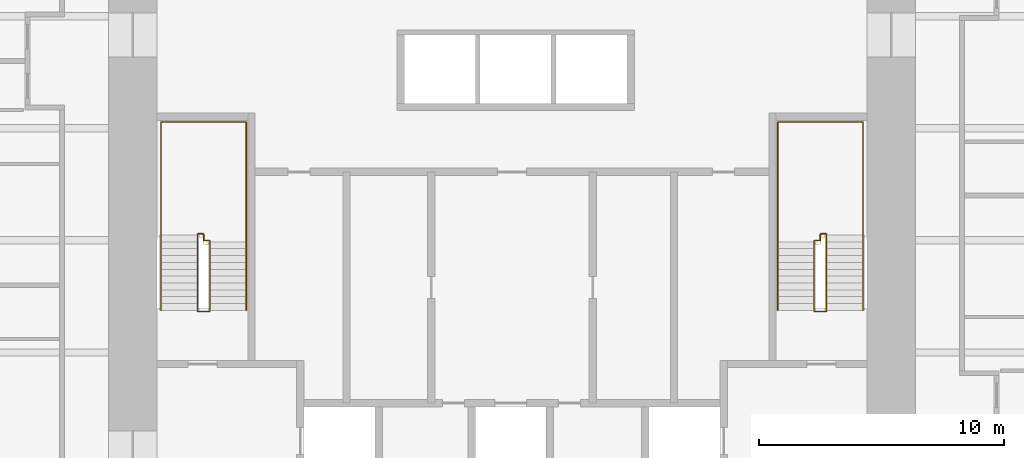
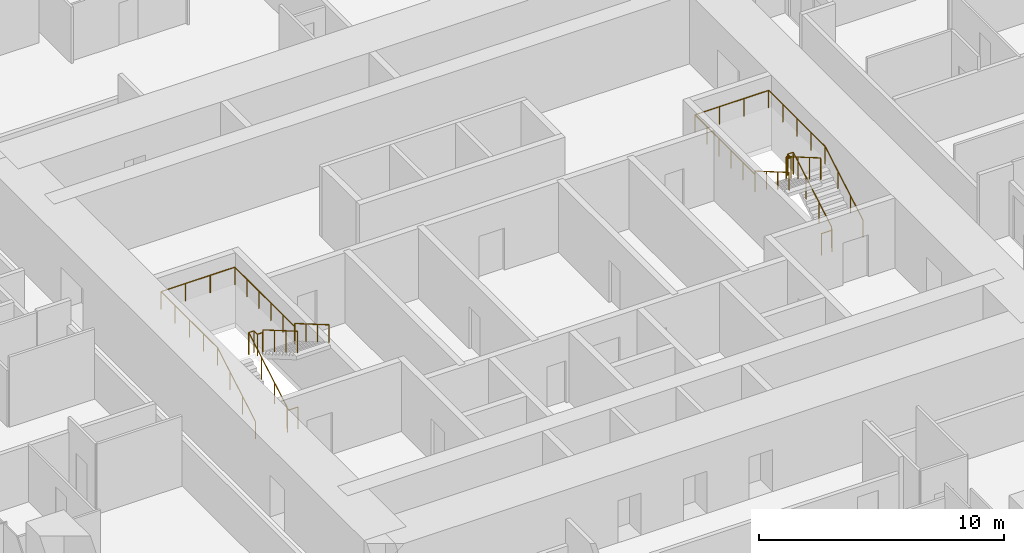
# One storey, part 13 of 13: 4 railings.
"""IFC4 building model written with IfcOpenShell, lengths in metres."""

import ifcopenshell
import ifcopenshell.guid

model = None  # the IFC model being written
_history = None  # IfcOwnerHistory: only IFC2X3 demands one
_inside = {}  # id of a spatial element -> (the spatial element, [elements in it])
_under = {}  # id of a project, library or spatial element -> (it, [spatial elements below it])
_declared = {}  # id of a project -> (the project, [libraries it declares])
_typed = {}  # id of a type object -> (the type object, [elements of that type])
_made_of = {}  # id of a material, layer set ... -> (it, [elements and type objects made of it])


def new_model(schema):
    """Start an empty IFC model of exactly this schema.

    Asked for "IFC4X3", IfcOpenShell would pick the latest addendum, in which some entities
    have other attributes; the version numbers below select the first issue.
    IFC2X3 requires an IfcOwnerHistory on every rooted entity: one is made here for all.
    """
    global model, _history
    if schema == "IFC4X3":
        model = ifcopenshell.file(schema_version=(4, 3, 0, 0))
    else:
        model = ifcopenshell.file(schema=schema)
    _inside.clear()
    _under.clear()
    _declared.clear()
    _typed.clear()
    _made_of.clear()
    _history = None
    if model.schema == "IFC2X3":
        org = make("IfcOrganization", Name="unknown")
        user = make(
            "IfcPersonAndOrganization",
            ThePerson=make("IfcPerson", FamilyName="unknown"),
            TheOrganization=org,
        )
        app = make(
            "IfcApplication",
            ApplicationDeveloper=org,
            Version="unknown",
            ApplicationFullName="unknown",
            ApplicationIdentifier="unknown",
        )
        _history = make(
            "IfcOwnerHistory",
            OwningUser=user,
            OwningApplication=app,
            ChangeAction="ADDED",
            CreationDate=0,
        )
    return model


def make(cls, **values):
    """One entity of the class cls with the attributes given. An attribute that is None is left unset."""
    return model.create_entity(
        cls, **{name: value for name, value in values.items() if value is not None}
    )


def rooted(cls, **values):
    """An entity with a GlobalId (a new one), such as an element, a storey or a relation."""
    return make(cls, GlobalId=ifcopenshell.guid.new(), OwnerHistory=_history, **values)


def si_unit(unit_type, name, prefix=None):
    """IfcSIUnit, for example si_unit("LENGTHUNIT", "METRE", prefix="MILLI")."""
    return make("IfcSIUnit", UnitType=unit_type, Prefix=prefix, Name=name)


def assignment(units):
    """IfcUnitAssignment: the units of a project."""
    return None if units is None else make("IfcUnitAssignment", Units=units)


def point(xyz):
    """IfcCartesianPoint."""
    return None if xyz is None else make("IfcCartesianPoint", Coordinates=xyz)


def direction(xyz):
    """IfcDirection."""
    return None if xyz is None else make("IfcDirection", DirectionRatios=xyz)


def frame(location, z_axis=None, x_axis=None):
    """IfcAxis2Placement3D, a coordinate frame: its origin and axes. An axis left out is left unset."""
    return make(
        "IfcAxis2Placement3D",
        Location=point(location),
        Axis=direction(z_axis),
        RefDirection=direction(x_axis),
    )


def frame_2d(location, x_axis=None):
    """IfcAxis2Placement2D, a coordinate frame in the plane: its origin and x axis."""
    return make(
        "IfcAxis2Placement2D", Location=point(location), RefDirection=direction(x_axis)
    )


def origin():
    """The frame at (0, 0, 0) with its axes left unset."""
    return frame((0.0, 0.0, 0.0))


def origin_2d():
    """The frame at (0, 0) in the plane with its x axis left unset."""
    return frame_2d((0.0, 0.0))


def place(relative_to, where):
    """IfcLocalPlacement: puts the frame where relative to a parent placement (None: the world)."""
    return make(
        "IfcLocalPlacement", PlacementRelTo=relative_to, RelativePlacement=where
    )


def context(
    kind, dimensions, precision=None, world=None, true_north=None, identifier=None
):
    """IfcGeometricRepresentationContext, for example the 3D "Model" context."""
    return make(
        "IfcGeometricRepresentationContext",
        ContextIdentifier=identifier,
        ContextType=kind,
        CoordinateSpaceDimension=dimensions,
        Precision=precision,
        WorldCoordinateSystem=world,
        TrueNorth=true_north,
    )


def subcontext(parent, identifier, kind, view, scale=None):
    """IfcGeometricRepresentationSubContext, for example "Body" below "Model"."""
    return make(
        "IfcGeometricRepresentationSubContext",
        ContextIdentifier=identifier,
        ContextType=kind,
        ParentContext=parent,
        TargetScale=scale,
        TargetView=view,
    )


def project(units=None, contexts=None):
    """IfcProject with its units and contexts."""
    return rooted(
        "IfcProject",
        Name="project",
        RepresentationContexts=contexts,
        UnitsInContext=assignment(units),
    )


def spatial(cls, under=None, at=None, **own):
    """A site, building, storey or space (cls), placed at a placement, below another one or the project."""
    s = rooted(cls, ObjectPlacement=at, **own)
    if under is not None:
        _under.setdefault(under.id(), (under, []))[1].append(s)
    return s


def profile(cls, at=None, kind="AREA", **sizes):
    """A parametric profile (cls). Its sizes go by their IFC names, for example OverallWidth=200.0."""
    return make(cls, ProfileType=kind, Position=at, **sizes)


def circle(**sizes):
    """IfcCircleProfileDef."""
    return profile("IfcCircleProfileDef", **sizes)


def extrude(swept, where, along, depth):
    """IfcExtrudedAreaSolid: the profile swept, set in the frame where, extruded along a direction by depth."""
    return make(
        "IfcExtrudedAreaSolid",
        SweptArea=swept,
        Position=where,
        ExtrudedDirection=direction(along),
        Depth=depth,
    )


def shape(context_of_items, identifier, shape_type, items):
    """IfcShapeRepresentation: the items that make up one representation, for example the "Body"."""
    return make(
        "IfcShapeRepresentation",
        ContextOfItems=context_of_items,
        RepresentationIdentifier=identifier,
        RepresentationType=shape_type,
        Items=items,
    )


def material(Name=None, Category=None):
    """IfcMaterial."""
    return make("IfcMaterial", Name=Name, Category=Category)


def made_of(thing, what):
    """Note that an element or type object is made of a material, layer set ...; save() writes the relation."""
    if what is not None:
        _made_of.setdefault(what.id(), (what, []))[1].append(thing)
    return thing


def type_object(cls, material=None, **own):
    """A type object (cls), such as IfcWallType, which elements share."""
    return made_of(rooted(cls, **own), material)


def element(
    cls,
    number,
    at=None,
    inside=None,
    cuts=None,
    type_object=None,
    material=None,
    context=None,
    identifier="Body",
    shape_type=None,
    held_by="IfcProductDefinitionShape",
    body=None,
    shapes=None,
    **own,
):
    """One element of the class cls, such as IfcWall. Its Tag is "e" and its number.

    at: its placement. inside: the storey or other place that contains it. cuts: it is an
    opening in that element (IfcRelVoidsElement). A single representation is given by context,
    identifier, shape_type and body (its items); several are given by shapes. held_by: the class
    of the entity that holds the representations. save() writes the other relations.
    """
    e = rooted(cls, Tag="e%d" % number, ObjectPlacement=at, **own)
    if body is not None:
        shapes = [shape(context, identifier, shape_type, body)]
    if shapes is not None:
        e.Representation = make(held_by, Representations=shapes)
    if inside is not None:
        _inside.setdefault(inside.id(), (inside, []))[1].append(e)
    if cuts is not None:
        rooted(
            "IfcRelVoidsElement", RelatingBuildingElement=cuts, RelatedOpeningElement=e
        )
    if type_object is not None:
        _typed.setdefault(type_object.id(), (type_object, []))[1].append(e)
    return made_of(e, material)


def aggregate(whole, parts):
    """IfcRelAggregates: a whole, such as a stair, and the parts it consists of."""
    return rooted("IfcRelAggregates", RelatingObject=whole, RelatedObjects=parts)


def save(model, path):
    """Write the relations noted so far, then the file.

    IfcRelAggregates (storeys below a building ...), IfcRelContainedInSpatialStructure (elements
    in a storey), IfcRelDefinesByType, IfcRelAssociatesMaterial and IfcRelDeclares: one each for
    every whole, place, type object, material and project.
    """
    for whole, parts in _under.values():
        aggregate(whole, parts)
    for where, things in _inside.values():
        rooted(
            "IfcRelContainedInSpatialStructure",
            RelatedElements=things,
            RelatingStructure=where,
        )
    for kind, things in _typed.values():
        rooted("IfcRelDefinesByType", RelatedObjects=things, RelatingType=kind)
    for what, things in _made_of.values():
        rooted("IfcRelAssociatesMaterial", RelatedObjects=things, RelatingMaterial=what)
    for by, libraries in _declared.values():
        rooted("IfcRelDeclares", RelatingContext=by, RelatedDefinitions=libraries)
    model.write(path)


model = new_model("IFC4")

# Units and contexts
model_context = context("Model", 3, precision=1e-05, world=origin(), true_north=direction((0.0, 1.0)))
body_context = subcontext(model_context, "Body", "Model", "MODEL_VIEW")
ifc_project = project(units=[si_unit("LENGTHUNIT", "METRE"), si_unit("AREAUNIT", "SQUARE_METRE"), si_unit("VOLUMEUNIT", "CUBIC_METRE"), si_unit("PLANEANGLEUNIT", "RADIAN"), si_unit("MASSUNIT", "GRAM", prefix="KILO")], contexts=[model_context])

# Site, building, storey
site_placement = place(None, origin())
site = spatial("IfcSite", under=ifc_project, at=site_placement, CompositionType="ELEMENT")
building_placement = place(site_placement, origin())
building = spatial("IfcBuilding", under=site, at=building_placement, Name="Khuree Lantern Residences", CompositionType="ELEMENT")
storey_placement = place(building_placement, frame((0.0, 0.0, 137.25)))
storey = spatial("IfcBuildingStorey", under=building, at=storey_placement, Name="L34", CompositionType="ELEMENT", Elevation=137.25)

# Railings
ifc_material = material(Name="Steel S355", Category="steel")
railing_type_1 = type_object("IfcRailingType", Name="STAIR GUARD G1 1100", PredefinedType="GUARDRAIL", material=ifc_material)
railing_1_placement = place(storey_placement, frame((-12.35009765625, -2.909912109375, 0.0)))
element("IfcRailing", 1, at=railing_1_placement, inside=storey, type_object=railing_type_1, Name="Stair ST1 guard", PredefinedType="GUARDRAIL", context=body_context, shape_type="SweptSolid", body=[
    extrude(circle(Radius=0.02392578125, at=origin_2d()), frame((0.0, 0.0, 1.076171875), z_axis=(-1.0, 0.0, 0.0), x_axis=(0.0, -1.0, 0.0)), (0.0, 0.0, 1.0), 0.5),
    extrude(circle(Radius=0.02392578125, at=origin_2d()), frame((-0.5, 0.0, 1.076171875), z_axis=(0.0, 0.292073035251, 0.95639601739), x_axis=(-1.0, 0.0, 0.0)), (0.0, 0.0, 1.0), 0.17041015625),
    extrude(circle(Radius=0.02392578125, at=origin_2d()), frame((-0.5, 0.0498046875, 1.2392578125), z_axis=(0.0, 0.864176135923, 0.503189433615), x_axis=(-1.0, 0.0, 0.0)), (0.0, 0.0, 1.0), 3.564208984375),
    extrude(circle(Radius=0.02392578125, at=origin_2d()), frame((-0.5, 3.1298828125, 3.03271484375), z_axis=(0.0, 1.0, 0.0), x_axis=(-1.0, 0.0, 0.0)), (0.0, 0.0, 1.0), 0.050048828125),
    extrude(circle(Radius=0.02392578125, at=origin_2d()), frame((-0.5, 3.179931640625, 3.03271484375), z_axis=(1.0, 0.0, 0.0), x_axis=(0.0, 1.0, 0.0)), (0.0, 0.0, 1.0), 0.25),
    extrude(circle(Radius=0.02392578125, at=origin_2d()), frame((-0.25, 3.179931640625, 3.03271484375), z_axis=(0.0, -1.0, 0.0), x_axis=(1.0, 0.0, 0.0)), (0.0, 0.0, 1.0), 0.280029296875),
    extrude(circle(Radius=0.02392578125, at=origin_2d()), frame((-0.25, 2.89990234375, 3.03271484375), z_axis=(1.0, 0.0, 0.0), x_axis=(0.0, 1.0, 0.0)), (0.0, 0.0, 1.0), 0.25),
    extrude(circle(Radius=0.02392578125, at=origin_2d()), frame((0.0, 2.89990234375, 3.03271484375), z_axis=(0.0, -0.293381807449, 0.955995353053), x_axis=(1.0, 0.0, 0.0)), (0.0, 0.0, 1.0), 0.170654296875),
    extrude(circle(Radius=0.02392578125, at=origin_2d()), frame((0.0, 2.849853515625, 3.19580078125), z_axis=(0.0, -0.864180358799, 0.503182181189), x_axis=(1.0, 0.0, 0.0)), (0.0, 0.0, 1.0), 3.240234375),
    extrude(circle(Radius=0.02099609375, at=origin_2d()), origin(), (0.0, 0.0, 1.0), 1.052001953125),
    extrude(circle(Radius=0.02099609375, at=origin_2d()), frame((-0.5, 0.0, 0.0)), (0.0, 0.0, 1.0), 1.052001953125),
    extrude(circle(Radius=0.02099609375, at=origin_2d()), frame((-0.5, 0.0498046875, 0.1630859375)), (0.0, 0.0, 1.0), 1.052001953125),
    extrude(circle(Radius=0.02099609375, at=origin_2d()), frame((-0.5, 1.076416015625, 0.760986328125)), (0.0, 0.0, 1.0), 1.052001953125),
    extrude(circle(Radius=0.02099609375, at=origin_2d()), frame((-0.5, 2.103271484375, 1.358642578125)), (0.0, 0.0, 1.0), 1.052001953125),
    extrude(circle(Radius=0.02099609375, at=origin_2d()), frame((-0.5, 3.1298828125, 1.95654296875)), (0.0, 0.0, 1.0), 1.052001953125),
    extrude(circle(Radius=0.02099609375, at=origin_2d()), frame((-0.5, 3.179931640625, 1.95654296875)), (0.0, 0.0, 1.0), 1.052001953125),
    extrude(circle(Radius=0.02099609375, at=origin_2d()), frame((-0.25, 3.179931640625, 1.95654296875)), (0.0, 0.0, 1.0), 1.052001953125),
    extrude(circle(Radius=0.02099609375, at=origin_2d()), frame((-0.25, 2.89990234375, 1.95654296875)), (0.0, 0.0, 1.0), 1.052001953125),
    extrude(circle(Radius=0.02099609375, at=origin_2d()), frame((0.0, 2.89990234375, 1.95654296875)), (0.0, 0.0, 1.0), 1.052001953125),
    extrude(circle(Radius=0.02099609375, at=origin_2d()), frame((0.0, 2.849853515625, 2.11962890625)), (0.0, 0.0, 1.0), 1.052001953125),
    extrude(circle(Radius=0.02099609375, at=origin_2d()), frame((0.0, 1.91650390625, 2.6630859375)), (0.0, 0.0, 1.0), 1.052001953125),
    extrude(circle(Radius=0.02099609375, at=origin_2d()), frame((0.0, 0.983154296875, 3.20654296875)), (0.0, 0.0, 1.0), 1.052001953125),
    extrude(circle(Radius=0.02099609375, at=origin_2d()), frame((0.0, 0.0498046875, 3.75)), (0.0, 0.0, 1.0), 1.052001953125),
])
railing_2_placement = place(storey_placement, frame((12.35009765625, -2.909912109375, 0.0)))
element("IfcRailing", 2, at=railing_2_placement, inside=storey, type_object=railing_type_1, Name="Stair ST2 guard", PredefinedType="GUARDRAIL", context=body_context, shape_type="SweptSolid", body=[
    extrude(circle(Radius=0.02392578125, at=origin_2d()), frame((0.0, 0.0, 1.076171875), z_axis=(1.0, 0.0, 0.0), x_axis=(0.0, 1.0, 0.0)), (0.0, 0.0, 1.0), 0.5),
    extrude(circle(Radius=0.02392578125, at=origin_2d()), frame((0.5, 0.0, 1.076171875), z_axis=(0.0, 0.292073035251, 0.95639601739), x_axis=(-1.0, 0.0, 0.0)), (0.0, 0.0, 1.0), 0.17041015625),
    extrude(circle(Radius=0.02392578125, at=origin_2d()), frame((0.5, 0.0498046875, 1.2392578125), z_axis=(0.0, 0.864176135923, 0.503189433615), x_axis=(-1.0, 0.0, 0.0)), (0.0, 0.0, 1.0), 3.564208984375),
    extrude(circle(Radius=0.02392578125, at=origin_2d()), frame((0.5, 3.1298828125, 3.03271484375), z_axis=(0.0, 1.0, 0.0), x_axis=(-1.0, 0.0, 0.0)), (0.0, 0.0, 1.0), 0.050048828125),
    extrude(circle(Radius=0.02392578125, at=origin_2d()), frame((0.5, 3.179931640625, 3.03271484375), z_axis=(-1.0, 0.0, 0.0), x_axis=(0.0, -1.0, 0.0)), (0.0, 0.0, 1.0), 0.25),
    extrude(circle(Radius=0.02392578125, at=origin_2d()), frame((0.25, 3.179931640625, 3.03271484375), z_axis=(0.0, -1.0, 0.0), x_axis=(1.0, 0.0, 0.0)), (0.0, 0.0, 1.0), 0.280029296875),
    extrude(circle(Radius=0.02392578125, at=origin_2d()), frame((0.25, 2.89990234375, 3.03271484375), z_axis=(-1.0, 0.0, 0.0), x_axis=(0.0, -1.0, 0.0)), (0.0, 0.0, 1.0), 0.25),
    extrude(circle(Radius=0.02392578125, at=origin_2d()), frame((0.0, 2.89990234375, 3.03271484375), z_axis=(0.0, -0.293381807449, 0.955995353053), x_axis=(1.0, 0.0, 0.0)), (0.0, 0.0, 1.0), 0.170654296875),
    extrude(circle(Radius=0.02392578125, at=origin_2d()), frame((0.0, 2.849853515625, 3.19580078125), z_axis=(0.0, -0.864180358799, 0.503182181189), x_axis=(1.0, 0.0, 0.0)), (0.0, 0.0, 1.0), 3.240234375),
    extrude(circle(Radius=0.02099609375, at=origin_2d()), origin(), (0.0, 0.0, 1.0), 1.052001953125),
    extrude(circle(Radius=0.02099609375, at=origin_2d()), frame((0.5, 0.0, 0.0)), (0.0, 0.0, 1.0), 1.052001953125),
    extrude(circle(Radius=0.02099609375, at=origin_2d()), frame((0.5, 0.0498046875, 0.1630859375)), (0.0, 0.0, 1.0), 1.052001953125),
    extrude(circle(Radius=0.02099609375, at=origin_2d()), frame((0.5, 1.076416015625, 0.760986328125)), (0.0, 0.0, 1.0), 1.052001953125),
    extrude(circle(Radius=0.02099609375, at=origin_2d()), frame((0.5, 2.103271484375, 1.358642578125)), (0.0, 0.0, 1.0), 1.052001953125),
    extrude(circle(Radius=0.02099609375, at=origin_2d()), frame((0.5, 3.1298828125, 1.95654296875)), (0.0, 0.0, 1.0), 1.052001953125),
    extrude(circle(Radius=0.02099609375, at=origin_2d()), frame((0.5, 3.179931640625, 1.95654296875)), (0.0, 0.0, 1.0), 1.052001953125),
    extrude(circle(Radius=0.02099609375, at=origin_2d()), frame((0.25, 3.179931640625, 1.95654296875)), (0.0, 0.0, 1.0), 1.052001953125),
    extrude(circle(Radius=0.02099609375, at=origin_2d()), frame((0.25, 2.89990234375, 1.95654296875)), (0.0, 0.0, 1.0), 1.052001953125),
    extrude(circle(Radius=0.02099609375, at=origin_2d()), frame((0.0, 2.89990234375, 1.95654296875)), (0.0, 0.0, 1.0), 1.052001953125),
    extrude(circle(Radius=0.02099609375, at=origin_2d()), frame((0.0, 2.849853515625, 2.11962890625)), (0.0, 0.0, 1.0), 1.052001953125),
    extrude(circle(Radius=0.02099609375, at=origin_2d()), frame((0.0, 1.91650390625, 2.6630859375)), (0.0, 0.0, 1.0), 1.052001953125),
    extrude(circle(Radius=0.02099609375, at=origin_2d()), frame((0.0, 0.983154296875, 3.20654296875)), (0.0, 0.0, 1.0), 1.052001953125),
    extrude(circle(Radius=0.02099609375, at=origin_2d()), frame((0.0, 0.0498046875, 3.75)), (0.0, 0.0, 1.0), 1.052001953125),
])
railing_type_2 = type_object("IfcRailingType", Name="STAIR HANDRAIL H1 900", PredefinedType="HANDRAIL", material=ifc_material)
railing_3_placement = place(storey_placement, frame((-14.340087890625, -2.860107421875, 0.1630859375)))
element("IfcRailing", 3, at=railing_3_placement, inside=storey, type_object=railing_type_2, Name="Stair ST1 handrail", PredefinedType="HANDRAIL", context=body_context, shape_type="SweptSolid", body=[
    extrude(circle(Radius=0.02392578125, at=origin_2d()), frame((0.0, 0.0, 0.8759765625), z_axis=(0.0, 0.864176135923, 0.503189433615), x_axis=(-1.0, 0.0, 0.0)), (0.0, 0.0, 1.0), 3.564208984375),
    extrude(circle(Radius=0.02392578125, at=origin_2d()), frame((0.0, 3.080078125, 2.66943359375), z_axis=(0.0, 1.0, 0.0), x_axis=(-1.0, 0.0, 0.0)), (0.0, 0.0, 1.0), 4.6201171875),
    extrude(circle(Radius=0.02392578125, at=origin_2d()), frame((0.0, 7.7001953125, 2.66943359375), z_axis=(1.0, 0.0, 0.0), x_axis=(0.0, 1.0, 0.0)), (0.0, 0.0, 1.0), 3.47998046875),
    extrude(circle(Radius=0.02392578125, at=origin_2d()), frame((3.47998046875, 7.7001953125, 2.66943359375), z_axis=(0.0, -1.0, 0.0), x_axis=(1.0, 0.0, 0.0)), (0.0, 0.0, 1.0), 4.900146484375),
    extrude(circle(Radius=0.02392578125, at=origin_2d()), frame((3.47998046875, 2.800048828125, 2.66943359375), z_axis=(0.0, 0.0, 1.0), x_axis=(1.0, 0.0, 0.0)), (0.0, 0.0, 1.0), 0.1630859375),
    extrude(circle(Radius=0.02392578125, at=origin_2d()), frame((3.47998046875, 2.800048828125, 2.83251953125), z_axis=(0.0, -0.864180358799, 0.503182181189), x_axis=(1.0, 0.0, 0.0)), (0.0, 0.0, 1.0), 3.240234375),
    extrude(circle(Radius=0.02099609375, at=origin_2d()), origin(), (0.0, 0.0, 1.0), 0.851806640625),
    extrude(circle(Radius=0.02099609375, at=origin_2d()), frame((0.0, 1.026611328125, 0.597900390625)), (0.0, 0.0, 1.0), 0.851806640625),
    extrude(circle(Radius=0.02099609375, at=origin_2d()), frame((0.0, 2.053466796875, 1.195556640625)), (0.0, 0.0, 1.0), 0.851806640625),
    extrude(circle(Radius=0.02099609375, at=origin_2d()), frame((0.0, 3.080078125, 1.79345703125)), (0.0, 0.0, 1.0), 0.851806640625),
    extrude(circle(Radius=0.02099609375, at=origin_2d()), frame((0.0, 4.235107421875, 1.79345703125)), (0.0, 0.0, 1.0), 0.851806640625),
    extrude(circle(Radius=0.02099609375, at=origin_2d()), frame((0.0, 5.39013671875, 1.79345703125)), (0.0, 0.0, 1.0), 0.851806640625),
    extrude(circle(Radius=0.02099609375, at=origin_2d()), frame((0.0, 6.545166015625, 1.79345703125)), (0.0, 0.0, 1.0), 0.851806640625),
    extrude(circle(Radius=0.02099609375, at=origin_2d()), frame((0.0, 7.7001953125, 1.79345703125)), (0.0, 0.0, 1.0), 0.851806640625),
    extrude(circle(Radius=0.02099609375, at=origin_2d()), frame((1.159912109375, 7.7001953125, 1.79345703125)), (0.0, 0.0, 1.0), 0.851806640625),
    extrude(circle(Radius=0.02099609375, at=origin_2d()), frame((2.320068359375, 7.7001953125, 1.79345703125)), (0.0, 0.0, 1.0), 0.851806640625),
    extrude(circle(Radius=0.02099609375, at=origin_2d()), frame((3.47998046875, 7.7001953125, 1.79345703125)), (0.0, 0.0, 1.0), 0.851806640625),
    extrude(circle(Radius=0.02099609375, at=origin_2d()), frame((3.47998046875, 6.72021484375, 1.79345703125)), (0.0, 0.0, 1.0), 0.851806640625),
    extrude(circle(Radius=0.02099609375, at=origin_2d()), frame((3.47998046875, 5.740234375, 1.79345703125)), (0.0, 0.0, 1.0), 0.851806640625),
    extrude(circle(Radius=0.02099609375, at=origin_2d()), frame((3.47998046875, 4.760009765625, 1.79345703125)), (0.0, 0.0, 1.0), 0.851806640625),
    extrude(circle(Radius=0.02099609375, at=origin_2d()), frame((3.47998046875, 3.780029296875, 1.79345703125)), (0.0, 0.0, 1.0), 0.851806640625),
    extrude(circle(Radius=0.02099609375, at=origin_2d()), frame((3.47998046875, 2.800048828125, 1.79345703125)), (0.0, 0.0, 1.0), 0.851806640625),
    extrude(circle(Radius=0.02099609375, at=origin_2d()), frame((3.47998046875, 2.800048828125, 1.95654296875)), (0.0, 0.0, 1.0), 0.851806640625),
    extrude(circle(Radius=0.02099609375, at=origin_2d()), frame((3.47998046875, 1.86669921875, 2.5)), (0.0, 0.0, 1.0), 0.851806640625),
    extrude(circle(Radius=0.02099609375, at=origin_2d()), frame((3.47998046875, 0.933349609375, 3.04345703125)), (0.0, 0.0, 1.0), 0.851806640625),
    extrude(circle(Radius=0.02099609375, at=origin_2d()), frame((3.47998046875, 0.0, 3.5869140625)), (0.0, 0.0, 1.0), 0.851806640625),
])
railing_4_placement = place(storey_placement, frame((14.340087890625, -2.860107421875, 0.1630859375)))
element("IfcRailing", 4, at=railing_4_placement, inside=storey, type_object=railing_type_2, Name="Stair ST2 handrail", PredefinedType="HANDRAIL", context=body_context, shape_type="SweptSolid", body=[
    extrude(circle(Radius=0.02392578125, at=origin_2d()), frame((0.0, 0.0, 0.8759765625), z_axis=(0.0, 0.864176135923, 0.503189433615), x_axis=(-1.0, 0.0, 0.0)), (0.0, 0.0, 1.0), 3.564208984375),
    extrude(circle(Radius=0.02392578125, at=origin_2d()), frame((0.0, 3.080078125, 2.66943359375), z_axis=(0.0, 1.0, 0.0), x_axis=(-1.0, 0.0, 0.0)), (0.0, 0.0, 1.0), 4.6201171875),
    extrude(circle(Radius=0.02392578125, at=origin_2d()), frame((0.0, 7.7001953125, 2.66943359375), z_axis=(-1.0, 0.0, 0.0), x_axis=(0.0, -1.0, 0.0)), (0.0, 0.0, 1.0), 3.47998046875),
    extrude(circle(Radius=0.02392578125, at=origin_2d()), frame((-3.47998046875, 7.7001953125, 2.66943359375), z_axis=(0.0, -1.0, 0.0), x_axis=(1.0, 0.0, 0.0)), (0.0, 0.0, 1.0), 4.900146484375),
    extrude(circle(Radius=0.02392578125, at=origin_2d()), frame((-3.47998046875, 2.800048828125, 2.66943359375), z_axis=(0.0, 0.0, 1.0), x_axis=(1.0, 0.0, 0.0)), (0.0, 0.0, 1.0), 0.1630859375),
    extrude(circle(Radius=0.02392578125, at=origin_2d()), frame((-3.47998046875, 2.800048828125, 2.83251953125), z_axis=(0.0, -0.864180358799, 0.503182181189), x_axis=(1.0, 0.0, 0.0)), (0.0, 0.0, 1.0), 3.240234375),
    extrude(circle(Radius=0.02099609375, at=origin_2d()), origin(), (0.0, 0.0, 1.0), 0.851806640625),
    extrude(circle(Radius=0.02099609375, at=origin_2d()), frame((0.0, 1.026611328125, 0.597900390625)), (0.0, 0.0, 1.0), 0.851806640625),
    extrude(circle(Radius=0.02099609375, at=origin_2d()), frame((0.0, 2.053466796875, 1.195556640625)), (0.0, 0.0, 1.0), 0.851806640625),
    extrude(circle(Radius=0.02099609375, at=origin_2d()), frame((0.0, 3.080078125, 1.79345703125)), (0.0, 0.0, 1.0), 0.851806640625),
    extrude(circle(Radius=0.02099609375, at=origin_2d()), frame((0.0, 4.235107421875, 1.79345703125)), (0.0, 0.0, 1.0), 0.851806640625),
    extrude(circle(Radius=0.02099609375, at=origin_2d()), frame((0.0, 5.39013671875, 1.79345703125)), (0.0, 0.0, 1.0), 0.851806640625),
    extrude(circle(Radius=0.02099609375, at=origin_2d()), frame((0.0, 6.545166015625, 1.79345703125)), (0.0, 0.0, 1.0), 0.851806640625),
    extrude(circle(Radius=0.02099609375, at=origin_2d()), frame((0.0, 7.7001953125, 1.79345703125)), (0.0, 0.0, 1.0), 0.851806640625),
    extrude(circle(Radius=0.02099609375, at=origin_2d()), frame((-1.159912109375, 7.7001953125, 1.79345703125)), (0.0, 0.0, 1.0), 0.851806640625),
    extrude(circle(Radius=0.02099609375, at=origin_2d()), frame((-2.320068359375, 7.7001953125, 1.79345703125)), (0.0, 0.0, 1.0), 0.851806640625),
    extrude(circle(Radius=0.02099609375, at=origin_2d()), frame((-3.47998046875, 7.7001953125, 1.79345703125)), (0.0, 0.0, 1.0), 0.851806640625),
    extrude(circle(Radius=0.02099609375, at=origin_2d()), frame((-3.47998046875, 6.72021484375, 1.79345703125)), (0.0, 0.0, 1.0), 0.851806640625),
    extrude(circle(Radius=0.02099609375, at=origin_2d()), frame((-3.47998046875, 5.740234375, 1.79345703125)), (0.0, 0.0, 1.0), 0.851806640625),
    extrude(circle(Radius=0.02099609375, at=origin_2d()), frame((-3.47998046875, 4.760009765625, 1.79345703125)), (0.0, 0.0, 1.0), 0.851806640625),
    extrude(circle(Radius=0.02099609375, at=origin_2d()), frame((-3.47998046875, 3.780029296875, 1.79345703125)), (0.0, 0.0, 1.0), 0.851806640625),
    extrude(circle(Radius=0.02099609375, at=origin_2d()), frame((-3.47998046875, 2.800048828125, 1.79345703125)), (0.0, 0.0, 1.0), 0.851806640625),
    extrude(circle(Radius=0.02099609375, at=origin_2d()), frame((-3.47998046875, 2.800048828125, 1.95654296875)), (0.0, 0.0, 1.0), 0.851806640625),
    extrude(circle(Radius=0.02099609375, at=origin_2d()), frame((-3.47998046875, 1.86669921875, 2.5)), (0.0, 0.0, 1.0), 0.851806640625),
    extrude(circle(Radius=0.02099609375, at=origin_2d()), frame((-3.47998046875, 0.933349609375, 3.04345703125)), (0.0, 0.0, 1.0), 0.851806640625),
    extrude(circle(Radius=0.02099609375, at=origin_2d()), frame((-3.47998046875, 0.0, 3.5869140625)), (0.0, 0.0, 1.0), 0.851806640625),
])

save(model, "model.ifc")
